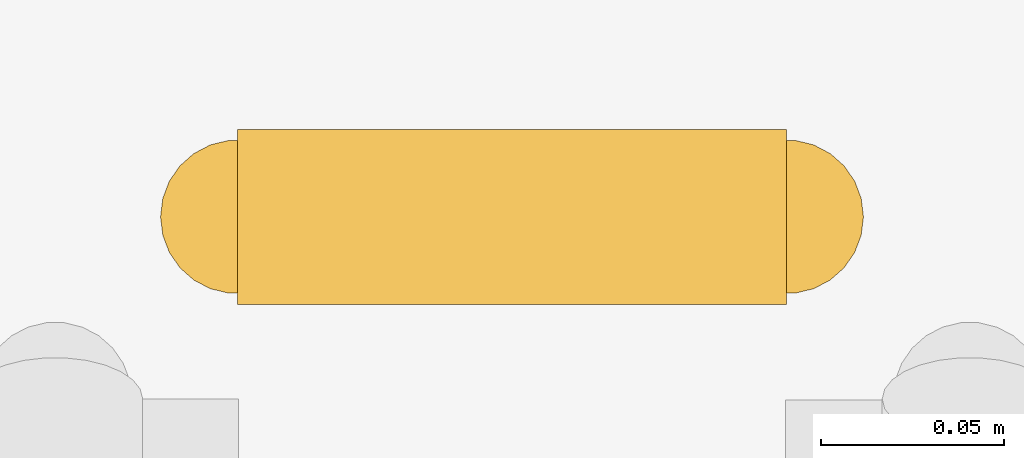
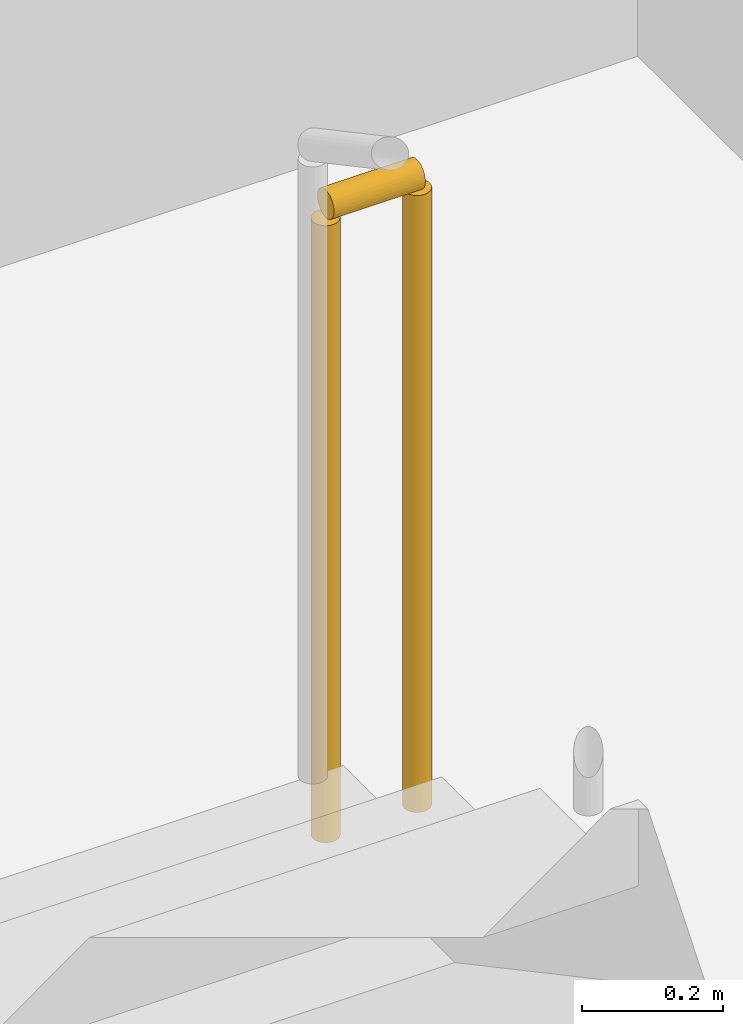
# One storey, part 21 of 23: 1 railing.
"""IFC4 building model written with IfcOpenShell, lengths in metres."""

from ifc_helpers import new_model, si_unit, direction, frame, origin, origin_2d, place, context, subcontext, project, spatial, circle, extrude, material, type_object, element, save


model = new_model("IFC4")

# Units and contexts
model_context = context("Model", 3, precision=1e-05, world=origin(), true_north=direction((0.0, 1.0)))
body_context = subcontext(model_context, "Body", "Model", "MODEL_VIEW")
ifc_project = project(units=[si_unit("LENGTHUNIT", "METRE"), si_unit("AREAUNIT", "SQUARE_METRE"), si_unit("VOLUMEUNIT", "CUBIC_METRE"), si_unit("PLANEANGLEUNIT", "RADIAN"), si_unit("MASSUNIT", "GRAM", prefix="KILO")], contexts=[model_context])

# Site, building, storey
site_placement = place(None, origin())
site = spatial("IfcSite", under=ifc_project, at=site_placement, CompositionType="ELEMENT")
building_placement = place(site_placement, origin())
building = spatial("IfcBuilding", under=site, at=building_placement, Name="Trine Commons Tower", CompositionType="ELEMENT")
storey_placement = place(building_placement, frame((0.0, 0.0, -9.0)))
storey = spatial("IfcBuildingStorey", under=building, at=storey_placement, Name="B2", CompositionType="ELEMENT", Elevation=-9.0)

# Railing
ifc_material = material(Name="Structural steel ASTM A500 Gr C", Category="steel")
railing_type = type_object("IfcRailingType", Name="Steel guard 1120 mm, ASTM A500 Gr C", PredefinedType="GUARDRAIL", material=ifc_material)
railing_placement = place(storey_placement, frame((23.64990234375, 102.14990234375, 0.0)))
element("IfcRailing", 1, at=railing_placement, inside=storey, type_object=railing_type, Name="B2 STB3 stair guard 4", PredefinedType="GUARDRAIL", context=body_context, shape_type="SweptSolid", body=[
    extrude(circle(Radius=0.02392578125, at=origin_2d()), frame((0.0, 0.0, 1.09619140625), z_axis=(1.0, 0.0, 0.0), x_axis=(0.0, 1.0, 0.0)), (0.0, 0.0, 1.0), 0.150146484375),
    extrude(circle(Radius=0.02099609375, at=origin_2d()), origin(), (0.0, 0.0, 1.0), 1.072021484375),
    extrude(circle(Radius=0.02099609375, at=origin_2d()), frame((0.150146484375, 0.0, 0.0)), (0.0, 0.0, 1.0), 1.072021484375),
])

save(model, "model.ifc")
